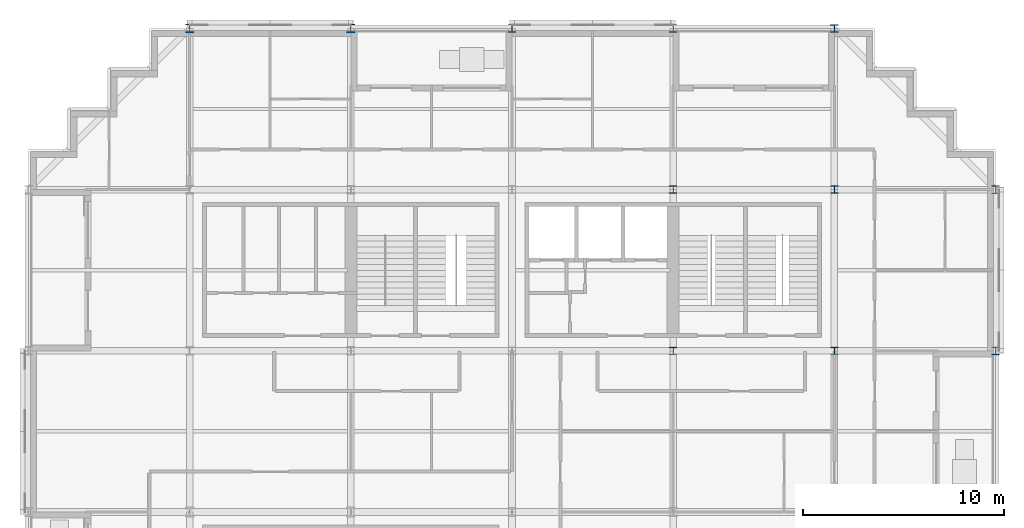
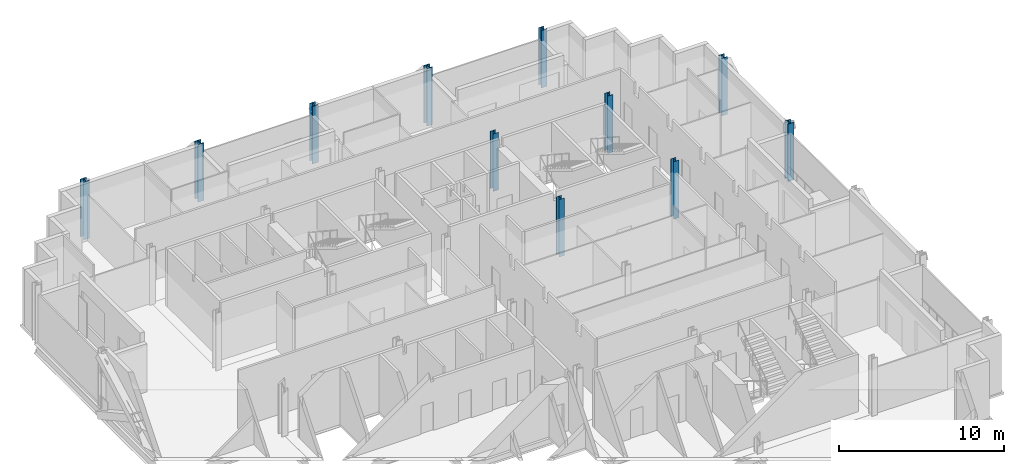
# One storey, part 2 of 15: 11 columns.
"""IFC4 building model written with IfcOpenShell, lengths in metres."""

import ifcopenshell
import ifcopenshell.guid

model = None  # the IFC model being written
_history = None  # IfcOwnerHistory: only IFC2X3 demands one
_inside = {}  # id of a spatial element -> (the spatial element, [elements in it])
_under = {}  # id of a project, library or spatial element -> (it, [spatial elements below it])
_declared = {}  # id of a project -> (the project, [libraries it declares])
_typed = {}  # id of a type object -> (the type object, [elements of that type])
_made_of = {}  # id of a material, layer set ... -> (it, [elements and type objects made of it])


def new_model(schema):
    """Start an empty IFC model of exactly this schema.

    Asked for "IFC4X3", IfcOpenShell would pick the latest addendum, in which some entities
    have other attributes; the version numbers below select the first issue.
    IFC2X3 requires an IfcOwnerHistory on every rooted entity: one is made here for all.
    """
    global model, _history
    if schema == "IFC4X3":
        model = ifcopenshell.file(schema_version=(4, 3, 0, 0))
    else:
        model = ifcopenshell.file(schema=schema)
    _inside.clear()
    _under.clear()
    _declared.clear()
    _typed.clear()
    _made_of.clear()
    _history = None
    if model.schema == "IFC2X3":
        org = make("IfcOrganization", Name="unknown")
        user = make(
            "IfcPersonAndOrganization",
            ThePerson=make("IfcPerson", FamilyName="unknown"),
            TheOrganization=org,
        )
        app = make(
            "IfcApplication",
            ApplicationDeveloper=org,
            Version="unknown",
            ApplicationFullName="unknown",
            ApplicationIdentifier="unknown",
        )
        _history = make(
            "IfcOwnerHistory",
            OwningUser=user,
            OwningApplication=app,
            ChangeAction="ADDED",
            CreationDate=0,
        )
    return model


def make(cls, **values):
    """One entity of the class cls with the attributes given. An attribute that is None is left unset."""
    return model.create_entity(
        cls, **{name: value for name, value in values.items() if value is not None}
    )


def rooted(cls, **values):
    """An entity with a GlobalId (a new one), such as an element, a storey or a relation."""
    return make(cls, GlobalId=ifcopenshell.guid.new(), OwnerHistory=_history, **values)


def si_unit(unit_type, name, prefix=None):
    """IfcSIUnit, for example si_unit("LENGTHUNIT", "METRE", prefix="MILLI")."""
    return make("IfcSIUnit", UnitType=unit_type, Prefix=prefix, Name=name)


def assignment(units):
    """IfcUnitAssignment: the units of a project."""
    return None if units is None else make("IfcUnitAssignment", Units=units)


def point(xyz):
    """IfcCartesianPoint."""
    return None if xyz is None else make("IfcCartesianPoint", Coordinates=xyz)


def direction(xyz):
    """IfcDirection."""
    return None if xyz is None else make("IfcDirection", DirectionRatios=xyz)


def frame(location, z_axis=None, x_axis=None):
    """IfcAxis2Placement3D, a coordinate frame: its origin and axes. An axis left out is left unset."""
    return make(
        "IfcAxis2Placement3D",
        Location=point(location),
        Axis=direction(z_axis),
        RefDirection=direction(x_axis),
    )


def frame_2d(location, x_axis=None):
    """IfcAxis2Placement2D, a coordinate frame in the plane: its origin and x axis."""
    return make(
        "IfcAxis2Placement2D", Location=point(location), RefDirection=direction(x_axis)
    )


def origin():
    """The frame at (0, 0, 0) with its axes left unset."""
    return frame((0.0, 0.0, 0.0))


def origin_2d():
    """The frame at (0, 0) in the plane with its x axis left unset."""
    return frame_2d((0.0, 0.0))


def place(relative_to, where):
    """IfcLocalPlacement: puts the frame where relative to a parent placement (None: the world)."""
    return make(
        "IfcLocalPlacement", PlacementRelTo=relative_to, RelativePlacement=where
    )


def context(
    kind, dimensions, precision=None, world=None, true_north=None, identifier=None
):
    """IfcGeometricRepresentationContext, for example the 3D "Model" context."""
    return make(
        "IfcGeometricRepresentationContext",
        ContextIdentifier=identifier,
        ContextType=kind,
        CoordinateSpaceDimension=dimensions,
        Precision=precision,
        WorldCoordinateSystem=world,
        TrueNorth=true_north,
    )


def subcontext(parent, identifier, kind, view, scale=None):
    """IfcGeometricRepresentationSubContext, for example "Body" below "Model"."""
    return make(
        "IfcGeometricRepresentationSubContext",
        ContextIdentifier=identifier,
        ContextType=kind,
        ParentContext=parent,
        TargetScale=scale,
        TargetView=view,
    )


def project(units=None, contexts=None):
    """IfcProject with its units and contexts."""
    return rooted(
        "IfcProject",
        Name="project",
        RepresentationContexts=contexts,
        UnitsInContext=assignment(units),
    )


def spatial(cls, under=None, at=None, **own):
    """A site, building, storey or space (cls), placed at a placement, below another one or the project."""
    s = rooted(cls, ObjectPlacement=at, **own)
    if under is not None:
        _under.setdefault(under.id(), (under, []))[1].append(s)
    return s


def profile(cls, at=None, kind="AREA", **sizes):
    """A parametric profile (cls). Its sizes go by their IFC names, for example OverallWidth=200.0."""
    return make(cls, ProfileType=kind, Position=at, **sizes)


def i_section(**sizes):
    """IfcIShapeProfileDef."""
    return profile("IfcIShapeProfileDef", **sizes)


def extrude(swept, where, along, depth):
    """IfcExtrudedAreaSolid: the profile swept, set in the frame where, extruded along a direction by depth."""
    return make(
        "IfcExtrudedAreaSolid",
        SweptArea=swept,
        Position=where,
        ExtrudedDirection=direction(along),
        Depth=depth,
    )


def shape(context_of_items, identifier, shape_type, items):
    """IfcShapeRepresentation: the items that make up one representation, for example the "Body"."""
    return make(
        "IfcShapeRepresentation",
        ContextOfItems=context_of_items,
        RepresentationIdentifier=identifier,
        RepresentationType=shape_type,
        Items=items,
    )


def material(Name=None, Category=None):
    """IfcMaterial."""
    return make("IfcMaterial", Name=Name, Category=Category)


def material_profile(
    of_material, cross_section, Name=None, Category=None, Priority=None
):
    """IfcMaterialProfile: a cross section and its material."""
    return make(
        "IfcMaterialProfile",
        Name=Name,
        Material=of_material,
        Profile=cross_section,
        Priority=Priority,
        Category=Category,
    )


def profile_set(profiles, Name=None, composite=None):
    """IfcMaterialProfileSet."""
    return make(
        "IfcMaterialProfileSet",
        Name=Name,
        MaterialProfiles=profiles,
        CompositeProfile=composite,
    )


def made_of(thing, what):
    """Note that an element or type object is made of a material, layer set ...; save() writes the relation."""
    if what is not None:
        _made_of.setdefault(what.id(), (what, []))[1].append(thing)
    return thing


def type_object(cls, material=None, **own):
    """A type object (cls), such as IfcWallType, which elements share."""
    return made_of(rooted(cls, **own), material)


def element(
    cls,
    number,
    at=None,
    inside=None,
    cuts=None,
    type_object=None,
    material=None,
    context=None,
    identifier="Body",
    shape_type=None,
    held_by="IfcProductDefinitionShape",
    body=None,
    shapes=None,
    **own,
):
    """One element of the class cls, such as IfcWall. Its Tag is "e" and its number.

    at: its placement. inside: the storey or other place that contains it. cuts: it is an
    opening in that element (IfcRelVoidsElement). A single representation is given by context,
    identifier, shape_type and body (its items); several are given by shapes. held_by: the class
    of the entity that holds the representations. save() writes the other relations.
    """
    e = rooted(cls, Tag="e%d" % number, ObjectPlacement=at, **own)
    if body is not None:
        shapes = [shape(context, identifier, shape_type, body)]
    if shapes is not None:
        e.Representation = make(held_by, Representations=shapes)
    if inside is not None:
        _inside.setdefault(inside.id(), (inside, []))[1].append(e)
    if cuts is not None:
        rooted(
            "IfcRelVoidsElement", RelatingBuildingElement=cuts, RelatedOpeningElement=e
        )
    if type_object is not None:
        _typed.setdefault(type_object.id(), (type_object, []))[1].append(e)
    return made_of(e, material)


def aggregate(whole, parts):
    """IfcRelAggregates: a whole, such as a stair, and the parts it consists of."""
    return rooted("IfcRelAggregates", RelatingObject=whole, RelatedObjects=parts)


def save(model, path):
    """Write the relations noted so far, then the file.

    IfcRelAggregates (storeys below a building ...), IfcRelContainedInSpatialStructure (elements
    in a storey), IfcRelDefinesByType, IfcRelAssociatesMaterial and IfcRelDeclares: one each for
    every whole, place, type object, material and project.
    """
    for whole, parts in _under.values():
        aggregate(whole, parts)
    for where, things in _inside.values():
        rooted(
            "IfcRelContainedInSpatialStructure",
            RelatedElements=things,
            RelatingStructure=where,
        )
    for kind, things in _typed.values():
        rooted("IfcRelDefinesByType", RelatedObjects=things, RelatingType=kind)
    for what, things in _made_of.values():
        rooted("IfcRelAssociatesMaterial", RelatedObjects=things, RelatingMaterial=what)
    for by, libraries in _declared.values():
        rooted("IfcRelDeclares", RelatingContext=by, RelatedDefinitions=libraries)
    model.write(path)


model = new_model("IFC4")

# Units and contexts
model_context = context("Model", 3, precision=1e-05, world=origin(), true_north=direction((0.0, 1.0)))
body_context = subcontext(model_context, "Body", "Model", "MODEL_VIEW")
ifc_project = project(units=[si_unit("LENGTHUNIT", "METRE"), si_unit("AREAUNIT", "SQUARE_METRE"), si_unit("VOLUMEUNIT", "CUBIC_METRE"), si_unit("PLANEANGLEUNIT", "RADIAN"), si_unit("MASSUNIT", "GRAM", prefix="KILO")], contexts=[model_context])

# Site, building, storey
site_placement = place(None, origin())
site = spatial("IfcSite", under=ifc_project, at=site_placement, CompositionType="ELEMENT")
building_placement = place(site_placement, origin())
building = spatial("IfcBuilding", under=site, at=building_placement, Name="Immortelle Media Tower", CompositionType="ELEMENT")
storey_placement = place(building_placement, frame((0.0, 0.0, 61.199951171875)))
storey = spatial("IfcBuildingStorey", under=building, at=storey_placement, Name="L10", CompositionType="ELEMENT", Elevation=61.199951171875)

# Columns
ifc_material = material(Name="Steel ASTM A992 Gr 50", Category="steel")
ifc_material_profile_1 = material_profile(ifc_material, i_section(OverallWidth=0.39404296875, OverallDepth=0.3759765625, WebThickness=0.01708984375, FlangeThickness=0.028076171875, at=origin_2d()), Name="W14x145")
ifc_profile_set_1 = profile_set([ifc_material_profile_1], Name="Steel ASTM A992 Gr 50")
column_type_1 = type_object("IfcColumnType", Name="W14x145 column", PredefinedType="COLUMN", material=ifc_profile_set_1)
column_placement = place(storey_placement, frame((40.0, 48.0, 0.0), z_axis=(0.0, 0.0, 1.0), x_axis=(1.0, 0.0, 0.0)))
element("IfcColumn", 1, at=column_placement, inside=storey, type_object=column_type_1, Name="Column 6/G", PredefinedType="COLUMN", context=body_context, shape_type="SweptSolid", body=[
    extrude(i_section(OverallWidth=0.39404296875, OverallDepth=0.3759765625, WebThickness=0.01708984375, FlangeThickness=0.028076171875, at=origin_2d()), origin(), (0.0, 0.0, 1.0), 4.25),
])
ifc_material_profile_2 = material_profile(ifc_material, i_section(OverallWidth=0.40087890625, OverallDepth=0.39892578125, WebThickness=0.02490234375, FlangeThickness=0.0400390625, at=origin_2d()), Name="W14x211")
ifc_profile_set_2 = profile_set([ifc_material_profile_2], Name="Steel ASTM A992 Gr 50")
column_type_2 = type_object("IfcColumnType", Name="W14x211 column", PredefinedType="COLUMN", material=ifc_profile_set_2)
for number, where, z_axis, x_axis, name in (
    (2, (24.0, 48.0, 0.0), (0.0, 0.0, 1.0), (1.0, 0.0, 0.0), "Column 4/G"),
    (3, (32.0, 48.0, 0.0), (0.0, 0.0, 1.0), (1.0, 0.0, 0.0), "Column 5/G"),
    (4, (48.0, 32.0, 0.0), (0.0, 0.0, 1.0), (1.0, 0.0, 0.0), "Column 7/E"),
    (5, (48.0, 40.0, 0.0), (0.0, 0.0, 1.0), (1.0, 0.0, 0.0), "Column 7/F"),
):
    element("IfcColumn", number, at=place(storey_placement, frame(where, z_axis=z_axis, x_axis=x_axis)), inside=storey, type_object=column_type_2, Name=name, PredefinedType="COLUMN", context=body_context, shape_type="SweptSolid", body=[
        extrude(i_section(OverallWidth=0.40087890625, OverallDepth=0.39892578125, WebThickness=0.02490234375, FlangeThickness=0.0400390625, at=origin_2d()), origin(), (0.0, 0.0, 1.0), 4.25),
    ])
ifc_material_profile_3 = material_profile(ifc_material, i_section(OverallWidth=0.410888671875, OverallDepth=0.43408203125, WebThickness=0.035888671875, FlangeThickness=0.056884765625, at=origin_2d()), Name="W14x311")
ifc_profile_set_3 = profile_set([ifc_material_profile_3], Name="Steel ASTM A992 Gr 50")
column_type_3 = type_object("IfcColumnType", Name="W14x311 column", PredefinedType="COLUMN", material=ifc_profile_set_3)
for number, where, z_axis, x_axis, name in (
    (6, (8.0, 48.0, 0.0), (0.0, 0.0, 1.0), (1.0, 0.0, 0.0), "Column 2/G"),
    (7, (16.0, 48.0, 0.0), (0.0, 0.0, 1.0), (1.0, 0.0, 0.0), "Column 3/G"),
):
    element("IfcColumn", number, at=place(storey_placement, frame(where, z_axis=z_axis, x_axis=x_axis)), inside=storey, type_object=column_type_3, Name=name, PredefinedType="COLUMN", context=body_context, shape_type="SweptSolid", body=[
        extrude(i_section(OverallWidth=0.410888671875, OverallDepth=0.43408203125, WebThickness=0.035888671875, FlangeThickness=0.056884765625, at=origin_2d()), origin(), (0.0, 0.0, 1.0), 4.25),
    ])
ifc_material_profile_4 = material_profile(ifc_material, i_section(OverallWidth=0.37109375, OverallDepth=0.361083984375, WebThickness=0.011962890625, FlangeThickness=0.02001953125, at=origin_2d()), Name="W14x99")
ifc_profile_set_4 = profile_set([ifc_material_profile_4], Name="Steel ASTM A992 Gr 50")
column_type_4 = type_object("IfcColumnType", Name="W14x99 column", PredefinedType="COLUMN", material=ifc_profile_set_4)
for number, where, z_axis, x_axis, name in (
    (8, (32.0, 32.0, 0.0), (0.0, 0.0, 1.0), (1.0, 0.0, 0.0), "Column 5/E"),
    (9, (32.0, 40.0, 0.0), (0.0, 0.0, 1.0), (1.0, 0.0, 0.0), "Column 5/F"),
    (10, (40.0, 32.0, 0.0), (0.0, 0.0, 1.0), (1.0, 0.0, 0.0), "Column 6/E"),
    (11, (40.0, 40.0, 0.0), (0.0, 0.0, 1.0), (1.0, 0.0, 0.0), "Column 6/F"),
):
    element("IfcColumn", number, at=place(storey_placement, frame(where, z_axis=z_axis, x_axis=x_axis)), inside=storey, type_object=column_type_4, Name=name, PredefinedType="COLUMN", context=body_context, shape_type="SweptSolid", body=[
        extrude(i_section(OverallWidth=0.37109375, OverallDepth=0.361083984375, WebThickness=0.011962890625, FlangeThickness=0.02001953125, at=origin_2d()), origin(), (0.0, 0.0, 1.0), 4.25),
    ])

save(model, "model.ifc")
